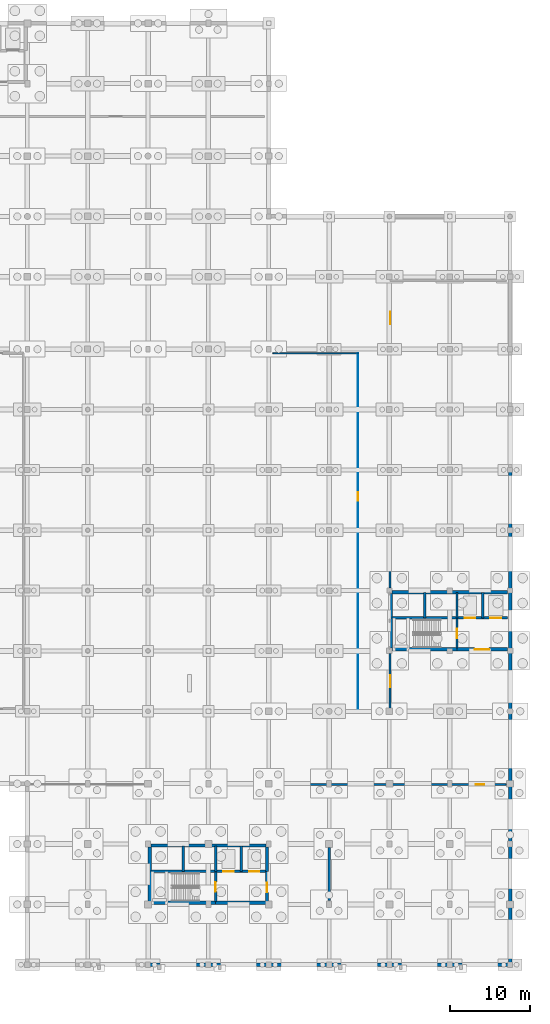
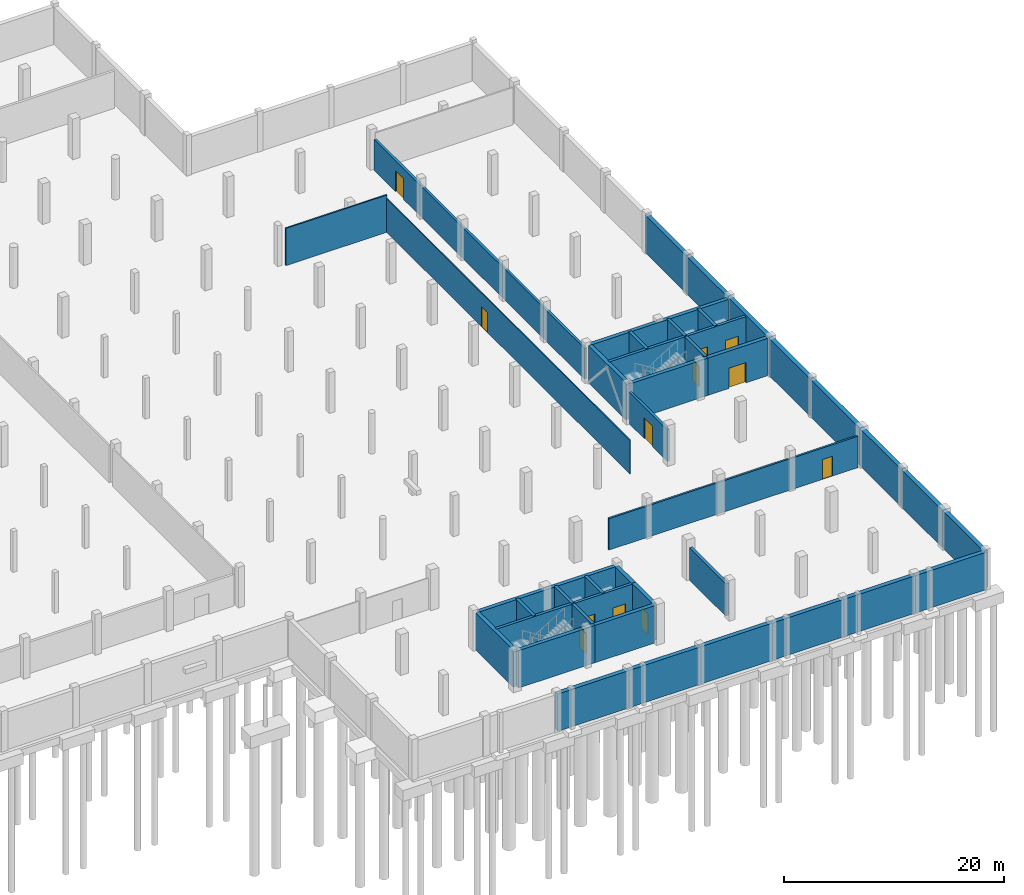
# One storey, part 31 of 42: 42 walls, 12 doors, 12 openings.
"""IFC4 building model written with IfcOpenShell, lengths in metres."""

from ifc_helpers import new_model, si_unit, direction, frame, frame_2d, origin, place, context, subcontext, project, spatial, rectangle, extrude, material, layer, layer_set, type_object, element, fill, save


model = new_model("IFC4")

# Units and contexts
model_context = context("Model", 3, precision=1e-05, world=origin(), true_north=direction((0.0, 1.0)))
body_context = subcontext(model_context, "Body", "Model", "MODEL_VIEW")
ifc_project = project(units=[si_unit("LENGTHUNIT", "METRE"), si_unit("AREAUNIT", "SQUARE_METRE"), si_unit("VOLUMEUNIT", "CUBIC_METRE"), si_unit("PLANEANGLEUNIT", "RADIAN"), si_unit("MASSUNIT", "GRAM", prefix="KILO")], contexts=[model_context])

# Site, building, storey
site_placement = place(None, origin())
site = spatial("IfcSite", under=ifc_project, at=site_placement, CompositionType="ELEMENT")
building_placement = place(site_placement, origin())
building = spatial("IfcBuilding", under=site, at=building_placement, Name="Dalvernix Boulevard General Hospital", CompositionType="ELEMENT")
storey_placement = place(building_placement, frame((0.0, 0.0, -4.5)))
storey = spatial("IfcBuildingStorey", under=building, at=storey_placement, Name="B1", CompositionType="ELEMENT", Elevation=-4.5)

# Walls
ifc_material_1 = material(Name="Concrete C40/50", Category="concrete")
ifc_layer_1 = layer(ifc_material_1, 0.39990234375)
ifc_layer_set_1 = layer_set([ifc_layer_1], Name="Concrete C40/50 (WAL-CSW-01)")
wall_type_1 = type_object("IfcWallType", Name="WAL-CSW-01", PredefinedType="SHEAR", material=ifc_layer_set_1)
wall_1_placement = place(storey_placement, frame((127.85009765625, 7.699951171875, 0.0), z_axis=(0.0, 0.0, 1.0), x_axis=(1.0, 0.0, 0.0)))
element("IfcWall", 1, at=wall_1_placement, inside=storey, type_object=wall_type_1, Name="B1 C5 south stairwell wall", PredefinedType="SHEAR", context=body_context, shape_type="SweptSolid", body=[
    extrude(rectangle(XDim=8.0498046875, YDim=0.39990234375, at=frame_2d((4.02490234375, 0.0))), origin(), (0.0, 0.0, 1.0), 4.139892578125),
])
wall_2_placement = place(storey_placement, frame((135.89990234375, 7.699951171875, 0.0), z_axis=(0.0, 0.0, 1.0), x_axis=(1.0, 0.0, 0.0)))
element("IfcWall", 2, at=wall_2_placement, inside=storey, type_object=wall_type_1, Name="B1 C5 south firefighting lobby wall", PredefinedType="SHEAR", context=body_context, shape_type="SweptSolid", body=[
    extrude(rectangle(XDim=6.25, YDim=0.39990234375, at=frame_2d((3.125, 0.0))), origin(), (0.0, 0.0, 1.0), 4.139892578125),
])
wall_3_placement = place(storey_placement, frame((127.85009765625, 14.800048828125, 0.0), z_axis=(0.0, 0.0, 1.0), x_axis=(1.0, 0.0, 0.0)))
element("IfcWall", 3, at=wall_3_placement, inside=storey, type_object=wall_type_1, Name="B1 C5 north shaft core wall", PredefinedType="SHEAR", context=body_context, shape_type="SweptSolid", body=[
    extrude(rectangle(XDim=14.2998046875, YDim=0.39990234375, at=frame_2d((7.14990234375, 0.0))), origin(), (0.0, 0.0, 1.0), 4.139892578125),
])
wall_4_placement = place(storey_placement, frame((127.699951171875, 7.85009765625, 0.0), z_axis=(0.0, 0.0, 1.0), x_axis=(0.0, 1.0, 0.0)))
element("IfcWall", 4, at=wall_4_placement, inside=storey, type_object=wall_type_1, Name="B1 C5 west core wall", PredefinedType="SHEAR", context=body_context, shape_type="SweptSolid", body=[
    extrude(rectangle(XDim=6.7998046875, YDim=0.39990234375, at=frame_2d((3.39990234375, 0.0))), origin(), (0.0, 0.0, 1.0), 4.139892578125),
])

# Wall, opening, door
wall_5_placement = place(storey_placement, frame((142.300048828125, 7.85009765625, 0.0), z_axis=(0.0, 0.0, 1.0), x_axis=(0.0, 1.0, 0.0)))
wall_5 = element("IfcWall", 5, at=wall_5_placement, inside=storey, type_object=wall_type_1, Name="B1 C5 east lobby core wall", PredefinedType="SHEAR", context=body_context, shape_type="SweptSolid", body=[
    extrude(rectangle(XDim=3.75, YDim=0.39990234375, at=frame_2d((1.875, 0.0))), origin(), (0.0, 0.0, 1.0), 4.139892578125),
])
opening_1_placement = place(wall_5_placement, frame((1.14990234375, 0.0, 0.0)))
opening_1 = element("IfcOpeningElement", 6, at=opening_1_placement, cuts=wall_5, Name="Opening FD-02", PredefinedType="OPENING", context=body_context, shape_type="SweptSolid", body=[
    extrude(rectangle(XDim=1.199951171875, YDim=2.25, at=frame_2d((0.60009765625, 1.125))), frame((0.0, 0.2099609375, 0.0), z_axis=(0.0, -1.0, 0.0), x_axis=(1.0, 0.0, 0.0)), (0.0, 0.0, 1.0), 0.419921875),
])
ifc_material_2 = material(Name="Hospital laminate acoustic timber and steel frame", Category="steel")
door_type_1 = type_object("IfcDoorType", Name="DR-FD-02", OperationType="NOTDEFINED", PredefinedType="DOOR", material=ifc_material_2)
door_1_placement = place(opening_1_placement, origin())
door_1 = element("IfcDoor", 7, at=door_1_placement, inside=storey, type_object=door_type_1, Name="B1 C5 east lobby fire door", OperationType="SINGLE_SWING_LEFT", OverallHeight=2.25, OverallWidth=1.199951171875, PredefinedType="DOOR", context=body_context, shape_type="SweptSolid", body=[
    extrude(rectangle(XDim=1.199951171875, YDim=2.25, at=frame_2d((0.60009765625, 1.125))), frame((0.0, 0.02490234375, 0.0), z_axis=(0.0, -1.0, 0.0), x_axis=(1.0, 0.0, 0.0)), (0.0, 0.0, 1.0), 0.050048828125),
])
fill(opening_1, door_1)

# Walls
wall_6_placement = place(storey_placement, frame((142.300048828125, 11.60009765625, 0.0), z_axis=(0.0, 0.0, 1.0), x_axis=(0.0, 1.0, 0.0)))
element("IfcWall", 8, at=wall_6_placement, inside=storey, type_object=wall_type_1, Name="B1 C5 east shaft core wall", PredefinedType="SHEAR", context=body_context, shape_type="SweptSolid", body=[
    extrude(rectangle(XDim=3.0498046875, YDim=0.39990234375, at=frame_2d((1.52490234375, 0.0))), origin(), (0.0, 0.0, 1.0), 4.139892578125),
])
wall_7_placement = place(storey_placement, frame((157.85009765625, 39.199951171875, 0.0), z_axis=(0.0, 0.0, 1.0), x_axis=(1.0, 0.0, 0.0)))
element("IfcWall", 9, at=wall_7_placement, inside=storey, type_object=wall_type_1, Name="B1 C6 south stairwell wall", PredefinedType="SHEAR", context=body_context, shape_type="SweptSolid", body=[
    extrude(rectangle(XDim=8.0498046875, YDim=0.39990234375, at=frame_2d((4.02490234375, 0.0))), origin(), (0.0, 0.0, 1.0), 4.139892578125),
])

# Wall, opening, door
wall_8_placement = place(storey_placement, frame((165.89990234375, 39.199951171875, 0.0), z_axis=(0.0, 0.0, 1.0), x_axis=(1.0, 0.0, 0.0)))
wall_8 = element("IfcWall", 10, at=wall_8_placement, inside=storey, type_object=wall_type_1, Name="B1 C6 south firefighting lobby wall", PredefinedType="SHEAR", context=body_context, shape_type="SweptSolid", body=[
    extrude(rectangle(XDim=6.25, YDim=0.39990234375, at=frame_2d((3.125, 0.0))), origin(), (0.0, 0.0, 1.0), 4.139892578125),
])
opening_2_placement = place(wall_8_placement, frame((2.199951171875, 0.0, 0.0)))
opening_2 = element("IfcOpeningElement", 11, at=opening_2_placement, cuts=wall_8, Name="Opening FD-01", PredefinedType="OPENING", context=body_context, shape_type="SweptSolid", body=[
    extrude(rectangle(XDim=1.800048828125, YDim=2.25, at=frame_2d((0.89990234375, 1.125))), frame((0.0, 0.2099609375, 0.0), z_axis=(0.0, -1.0, 0.0), x_axis=(1.0, 0.0, 0.0)), (0.0, 0.0, 1.0), 0.419921875),
])
door_type_2 = type_object("IfcDoorType", Name="DR-FD-01", OperationType="DOUBLE_DOOR_SINGLE_SWING", PredefinedType="DOOR", material=ifc_material_2)
door_2_placement = place(opening_2_placement, origin())
door_2 = element("IfcDoor", 12, at=door_2_placement, inside=storey, type_object=door_type_2, Name="B1 C6 firefighting lobby door", OperationType="DOUBLE_DOOR_SINGLE_SWING", OverallHeight=2.25, OverallWidth=1.800048828125, PredefinedType="DOOR", context=body_context, shape_type="SweptSolid", body=[
    extrude(rectangle(XDim=1.800048828125, YDim=2.25, at=frame_2d((0.89990234375, 1.125))), frame((0.0, 0.02490234375, 0.0), z_axis=(0.0, -1.0, 0.0), x_axis=(1.0, 0.0, 0.0)), (0.0, 0.0, 1.0), 0.050048828125),
])
fill(opening_2, door_2)

# Walls
wall_9_placement = place(storey_placement, frame((157.85009765625, 46.300048828125, 0.0), z_axis=(0.0, 0.0, 1.0), x_axis=(1.0, 0.0, 0.0)))
element("IfcWall", 13, at=wall_9_placement, inside=storey, type_object=wall_type_1, Name="B1 C6 north shaft core wall", PredefinedType="SHEAR", context=body_context, shape_type="SweptSolid", body=[
    extrude(rectangle(XDim=14.2998046875, YDim=0.39990234375, at=frame_2d((7.14990234375, 0.0))), origin(), (0.0, 0.0, 1.0), 4.139892578125),
])
wall_10_placement = place(storey_placement, frame((157.699951171875, 39.35009765625, 0.0), z_axis=(0.0, 0.0, 1.0), x_axis=(0.0, 1.0, 0.0)))
element("IfcWall", 14, at=wall_10_placement, inside=storey, type_object=wall_type_1, Name="B1 C6 west core wall", PredefinedType="SHEAR", context=body_context, shape_type="SweptSolid", body=[
    extrude(rectangle(XDim=6.7998046875, YDim=0.39990234375, at=frame_2d((3.39990234375, 0.0))), origin(), (0.0, 0.0, 1.0), 4.139892578125),
])
ifc_layer_2 = layer(ifc_material_1, 0.300048828125)
ifc_layer_set_2 = layer_set([ifc_layer_2], Name="Concrete C40/50 (WAL-CSW-02)")
wall_type_2 = type_object("IfcWallType", Name="WAL-CSW-02", PredefinedType="SHEAR", material=ifc_layer_set_2)
wall_11_placement = place(storey_placement, frame((127.85009765625, 11.60009765625, 0.0), z_axis=(0.0, 0.0, 1.0), x_axis=(1.0, 0.0, 0.0)))
element("IfcWall", 15, at=wall_11_placement, inside=storey, type_object=wall_type_2, Name="B1 C5 riser spine wall", PredefinedType="SHEAR", context=body_context, shape_type="SweptSolid", body=[
    extrude(rectangle(XDim=8.0498046875, YDim=0.300048828125, at=frame_2d((4.02490234375, 0.0))), origin(), (0.0, 0.0, 1.0), 4.139892578125),
])

# Wall, openings, doors
wall_12_placement = place(storey_placement, frame((135.89990234375, 11.60009765625, 0.0), z_axis=(0.0, 0.0, 1.0), x_axis=(1.0, 0.0, 0.0)))
wall_12 = element("IfcWall", 16, at=wall_12_placement, inside=storey, type_object=wall_type_2, Name="B1 C5 lift shaft front wall", PredefinedType="SHEAR", context=body_context, shape_type="SweptSolid", body=[
    extrude(rectangle(XDim=6.25, YDim=0.300048828125, at=frame_2d((3.125, 0.0))), origin(), (0.0, 0.0, 1.0), 4.139892578125),
])
opening_3_placement = place(wall_12_placement, frame((0.949951171875, 0.0, 0.0)))
opening_3 = element("IfcOpeningElement", 17, at=opening_3_placement, cuts=wall_12, Name="Opening LD-LF-04-B1", PredefinedType="OPENING", context=body_context, shape_type="SweptSolid", body=[
    extrude(rectangle(XDim=1.300048828125, YDim=2.199951171875, at=frame_2d((0.64990234375, 1.10009765625))), frame((0.0, 0.159912109375, 0.0), z_axis=(0.0, -1.0, 0.0), x_axis=(1.0, 0.0, 0.0)), (0.0, 0.0, 1.0), 0.320068359375),
])
opening_4_placement = place(wall_12_placement, frame((4.14990234375, 0.0, 0.0)))
opening_4 = element("IfcOpeningElement", 18, at=opening_4_placement, cuts=wall_12, Name="Opening LD-LF-05-B1", PredefinedType="OPENING", context=body_context, shape_type="SweptSolid", body=[
    extrude(rectangle(XDim=1.300048828125, YDim=2.199951171875, at=frame_2d((0.64990234375, 1.10009765625))), frame((0.0, 0.159912109375, 0.0), z_axis=(0.0, -1.0, 0.0), x_axis=(1.0, 0.0, 0.0)), (0.0, 0.0, 1.0), 0.320068359375),
])
ifc_material_3 = material(Name="Stainless-clad steel", Category="steel")
door_type_3 = type_object("IfcDoorType", Name="DR-LD-02", OperationType="DOUBLE_DOOR_SLIDING", PredefinedType="DOOR", material=ifc_material_3)
door_3_placement = place(opening_3_placement, origin())
door_3 = element("IfcDoor", 19, at=door_3_placement, inside=storey, type_object=door_type_3, Name="B1 Lift LF-04 sliding landing door", OperationType="DOUBLE_DOOR_SLIDING", OverallHeight=2.199951171875, OverallWidth=1.300048828125, PredefinedType="DOOR", context=body_context, shape_type="SweptSolid", body=[
    extrude(rectangle(XDim=1.300048828125, YDim=2.199951171875, at=frame_2d((0.64990234375, 1.10009765625))), frame((0.0, 0.02490234375, 0.0), z_axis=(0.0, -1.0, 0.0), x_axis=(1.0, 0.0, 0.0)), (0.0, 0.0, 1.0), 0.050048828125),
])
fill(opening_3, door_3)
door_4_placement = place(opening_4_placement, origin())
door_4 = element("IfcDoor", 20, at=door_4_placement, inside=storey, type_object=door_type_3, Name="B1 Lift LF-05 sliding landing door", OperationType="DOUBLE_DOOR_SLIDING", OverallHeight=2.199951171875, OverallWidth=1.300048828125, PredefinedType="DOOR", context=body_context, shape_type="SweptSolid", body=[
    extrude(rectangle(XDim=1.300048828125, YDim=2.199951171875, at=frame_2d((0.64990234375, 1.10009765625))), frame((0.0, 0.02490234375, 0.0), z_axis=(0.0, -1.0, 0.0), x_axis=(1.0, 0.0, 0.0)), (0.0, 0.0, 1.0), 0.050048828125),
])
fill(opening_4, door_4)

# Wall, opening, door
wall_13_placement = place(storey_placement, frame((135.89990234375, 11.5, 0.0), z_axis=(0.0, 0.0, 1.0), x_axis=(0.0, -1.0, 0.0)))
wall_13 = element("IfcWall", 21, at=wall_13_placement, inside=storey, type_object=wall_type_2, Name="B1 C5 stairwell fire wall", PredefinedType="SHEAR", context=body_context, shape_type="SweptSolid", body=[
    extrude(rectangle(XDim=3.64990234375, YDim=0.300048828125, at=frame_2d((1.824951171875, 0.0))), origin(), (0.0, 0.0, 1.0), 4.139892578125),
])
opening_5_placement = place(wall_13_placement, frame((1.219970703125, 0.0, 0.0)))
opening_5 = element("IfcOpeningElement", 22, at=opening_5_placement, cuts=wall_13, Name="Opening FD-02", PredefinedType="OPENING", context=body_context, shape_type="SweptSolid", body=[
    extrude(rectangle(XDim=1.199951171875, YDim=2.25, at=frame_2d((0.60009765625, 1.125))), frame((0.0, 0.159912109375, 0.0), z_axis=(0.0, -1.0, 0.0), x_axis=(1.0, 0.0, 0.0)), (0.0, 0.0, 1.0), 0.320068359375),
])
door_5_placement = place(opening_5_placement, origin())
door_5 = element("IfcDoor", 23, at=door_5_placement, inside=storey, type_object=door_type_1, Name="B1 Stair ST-05 fire door", OperationType="SINGLE_SWING_LEFT", OverallHeight=2.25, OverallWidth=1.199951171875, PredefinedType="DOOR", context=body_context, shape_type="SweptSolid", body=[
    extrude(rectangle(XDim=1.199951171875, YDim=2.25, at=frame_2d((0.60009765625, 1.125))), frame((0.0, 0.02490234375, 0.0), z_axis=(0.0, -1.0, 0.0), x_axis=(1.0, 0.0, 0.0)), (0.0, 0.0, 1.0), 0.050048828125),
])
fill(opening_5, door_5)

# Walls
for number, where, z_axis, x_axis, name in (
    (24, (131.89990234375, 11.60009765625, 0.0), (0.0, 0.0, 1.0), (0.0, 1.0, 0.0), "B1 C5 shaft divider R1"),
    (25, (135.89990234375, 11.60009765625, 0.0), (0.0, 0.0, 1.0), (0.0, 1.0, 0.0), "B1 C5 shaft divider R2"),
    (26, (139.10009765625, 11.60009765625, 0.0), (0.0, 0.0, 1.0), (0.0, 1.0, 0.0), "B1 C5 shaft divider L1"),
):
    element("IfcWall", number, at=place(storey_placement, frame(where, z_axis=z_axis, x_axis=x_axis)), inside=storey, type_object=wall_type_2, Name=name, PredefinedType="SHEAR", context=body_context, shape_type="SweptSolid", body=[
        extrude(rectangle(XDim=3.14990234375, YDim=0.300048828125, at=frame_2d((1.574951171875, 0.0))), origin(), (0.0, 0.0, 1.0), 4.139892578125),
    ])
wall_14_placement = place(storey_placement, frame((157.85009765625, 43.10009765625, 0.0), z_axis=(0.0, 0.0, 1.0), x_axis=(1.0, 0.0, 0.0)))
element("IfcWall", 27, at=wall_14_placement, inside=storey, type_object=wall_type_2, Name="B1 C6 riser spine wall", PredefinedType="SHEAR", context=body_context, shape_type="SweptSolid", body=[
    extrude(rectangle(XDim=8.0498046875, YDim=0.300048828125, at=frame_2d((4.02490234375, 0.0))), origin(), (0.0, 0.0, 1.0), 4.139892578125),
])

# Wall, openings, doors
wall_15_placement = place(storey_placement, frame((165.89990234375, 43.10009765625, 0.0), z_axis=(0.0, 0.0, 1.0), x_axis=(1.0, 0.0, 0.0)))
wall_15 = element("IfcWall", 28, at=wall_15_placement, inside=storey, type_object=wall_type_2, Name="B1 C6 lift shaft front wall", PredefinedType="SHEAR", context=body_context, shape_type="SweptSolid", body=[
    extrude(rectangle(XDim=6.25, YDim=0.300048828125, at=frame_2d((3.125, 0.0))), origin(), (0.0, 0.0, 1.0), 4.139892578125),
])
opening_6_placement = place(wall_15_placement, frame((0.949951171875, 0.0, 0.0)))
opening_6 = element("IfcOpeningElement", 29, at=opening_6_placement, cuts=wall_15, Name="Opening LD-LF-06-B1", PredefinedType="OPENING", context=body_context, shape_type="SweptSolid", body=[
    extrude(rectangle(XDim=1.300048828125, YDim=2.199951171875, at=frame_2d((0.64990234375, 1.10009765625))), frame((0.0, 0.159912109375, 0.0), z_axis=(0.0, -1.0, 0.0), x_axis=(1.0, 0.0, 0.0)), (0.0, 0.0, 1.0), 0.320068359375),
])
opening_7_placement = place(wall_15_placement, frame((4.10009765625, 0.0, 0.0)))
opening_7 = element("IfcOpeningElement", 30, at=opening_7_placement, cuts=wall_15, Name="Opening LD-GL-02-B1", PredefinedType="OPENING", context=body_context, shape_type="SweptSolid", body=[
    extrude(rectangle(XDim=1.39990234375, YDim=2.25, at=frame_2d((0.699951171875, 1.125))), frame((0.0, 0.159912109375, 0.0), z_axis=(0.0, -1.0, 0.0), x_axis=(1.0, 0.0, 0.0)), (0.0, 0.0, 1.0), 0.320068359375),
])
door_type_4 = type_object("IfcDoorType", Name="DR-LD-01", OperationType="DOUBLE_DOOR_SLIDING", PredefinedType="DOOR", material=ifc_material_3)
door_6_placement = place(opening_7_placement, origin())
door_6 = element("IfcDoor", 31, at=door_6_placement, inside=storey, type_object=door_type_4, Name="B1 Lift GL-02 sliding landing door", OperationType="DOUBLE_DOOR_SLIDING", OverallHeight=2.25, OverallWidth=1.39990234375, PredefinedType="DOOR", context=body_context, shape_type="SweptSolid", body=[
    extrude(rectangle(XDim=1.39990234375, YDim=2.25, at=frame_2d((0.699951171875, 1.125))), frame((0.0, 0.02490234375, 0.0), z_axis=(0.0, -1.0, 0.0), x_axis=(1.0, 0.0, 0.0)), (0.0, 0.0, 1.0), 0.050048828125),
])
fill(opening_7, door_6)
door_7_placement = place(opening_6_placement, origin())
door_7 = element("IfcDoor", 32, at=door_7_placement, inside=storey, type_object=door_type_3, Name="B1 Lift LF-06 sliding landing door", OperationType="DOUBLE_DOOR_SLIDING", OverallHeight=2.199951171875, OverallWidth=1.300048828125, PredefinedType="DOOR", context=body_context, shape_type="SweptSolid", body=[
    extrude(rectangle(XDim=1.300048828125, YDim=2.199951171875, at=frame_2d((0.64990234375, 1.10009765625))), frame((0.0, 0.02490234375, 0.0), z_axis=(0.0, -1.0, 0.0), x_axis=(1.0, 0.0, 0.0)), (0.0, 0.0, 1.0), 0.050048828125),
])
fill(opening_6, door_7)

# Wall, opening, door
wall_16_placement = place(storey_placement, frame((165.89990234375, 43.0, 0.0), z_axis=(0.0, 0.0, 1.0), x_axis=(0.0, -1.0, 0.0)))
wall_16 = element("IfcWall", 33, at=wall_16_placement, inside=storey, type_object=wall_type_2, Name="B1 C6 stairwell fire wall", PredefinedType="SHEAR", context=body_context, shape_type="SweptSolid", body=[
    extrude(rectangle(XDim=3.64990234375, YDim=0.300048828125, at=frame_2d((1.824951171875, 0.0))), origin(), (0.0, 0.0, 1.0), 4.139892578125),
])
opening_8_placement = place(wall_16_placement, frame((1.219970703125, 0.0, 0.0)))
opening_8 = element("IfcOpeningElement", 34, at=opening_8_placement, cuts=wall_16, Name="Opening FD-02", PredefinedType="OPENING", context=body_context, shape_type="SweptSolid", body=[
    extrude(rectangle(XDim=1.199951171875, YDim=2.25, at=frame_2d((0.60009765625, 1.125))), frame((0.0, 0.159912109375, 0.0), z_axis=(0.0, -1.0, 0.0), x_axis=(1.0, 0.0, 0.0)), (0.0, 0.0, 1.0), 0.320068359375),
])
door_8_placement = place(opening_8_placement, origin())
door_8 = element("IfcDoor", 35, at=door_8_placement, inside=storey, type_object=door_type_1, Name="B1 Stair ST-06 fire door", OperationType="SINGLE_SWING_LEFT", OverallHeight=2.25, OverallWidth=1.199951171875, PredefinedType="DOOR", context=body_context, shape_type="SweptSolid", body=[
    extrude(rectangle(XDim=1.199951171875, YDim=2.25, at=frame_2d((0.60009765625, 1.125))), frame((0.0, 0.02490234375, 0.0), z_axis=(0.0, -1.0, 0.0), x_axis=(1.0, 0.0, 0.0)), (0.0, 0.0, 1.0), 0.050048828125),
])
fill(opening_8, door_8)

# Walls
for number, where, z_axis, x_axis, name in (
    (36, (161.89990234375, 43.10009765625, 0.0), (0.0, 0.0, 1.0), (0.0, 1.0, 0.0), "B1 C6 shaft divider R1"),
    (37, (165.89990234375, 43.10009765625, 0.0), (0.0, 0.0, 1.0), (0.0, 1.0, 0.0), "B1 C6 shaft divider R2"),
    (38, (169.10009765625, 43.10009765625, 0.0), (0.0, 0.0, 1.0), (0.0, 1.0, 0.0), "B1 C6 shaft divider L1"),
):
    element("IfcWall", number, at=place(storey_placement, frame(where, z_axis=z_axis, x_axis=x_axis)), inside=storey, type_object=wall_type_2, Name=name, PredefinedType="SHEAR", context=body_context, shape_type="SweptSolid", body=[
        extrude(rectangle(XDim=3.14990234375, YDim=0.300048828125, at=frame_2d((1.574951171875, 0.0))), origin(), (0.0, 0.0, 1.0), 4.139892578125),
    ])
ifc_layer_3 = layer(ifc_material_1, 0.320068359375)
ifc_layer_set_3 = layer_set([ifc_layer_3], Name="Concrete C40/50 (WAL-ESW-02)")
wall_type_3 = type_object("IfcWallType", Name="WAL-ESW-02", PredefinedType="SHEAR", material=ifc_layer_set_3)
wall_17_placement = place(storey_placement, frame((150.0, 7.949951171875, 0.0), z_axis=(0.0, 0.0, 1.0), x_axis=(0.0, 1.0, 0.0)))
element("IfcWall", 39, at=wall_17_placement, inside=storey, type_object=wall_type_3, Name="B1 reinforced concrete shear wall 3", PredefinedType="SHEAR", context=body_context, shape_type="SweptSolid", body=[
    extrude(rectangle(XDim=6.60009765625, YDim=0.320068359375, at=frame_2d((3.300048828125, 0.0))), origin(), (0.0, 0.0, 1.0), 3.590087890625),
])

# Wall, opening, door
ifc_material_4 = material(Name="Acoustic fire-rated masonry clinical wall", Category="masonry")
ifc_layer_4 = layer(ifc_material_4, 0.25)
ifc_layer_set_4 = layer_set([ifc_layer_4], Name="Acoustic fire-rated masonry clinical wall (WAL-IW-01)")
wall_type_4 = type_object("IfcWallType", Name="WAL-IW-01", PredefinedType="STANDARD", material=ifc_layer_set_4)
wall_18_placement = place(storey_placement, frame((157.60009765625, 38.699951171875, 0.0), z_axis=(0.0, 0.0, 1.0), x_axis=(0.0, -1.0, 0.0)))
wall_18 = element("IfcWall", 40, at=wall_18_placement, inside=storey, type_object=wall_type_4, Name="B1 Primary 20 kV Electrical Switchroom and UPS Hall corridor wall", PredefinedType="STANDARD", context=body_context, shape_type="SweptSolid", body=[
    extrude(rectangle(XDim=6.89990234375, YDim=0.25, at=frame_2d((3.449951171875, 0.0))), origin(), (0.0, 0.0, 1.0), 3.52490234375),
])
opening_9_placement = place(wall_18_placement, frame((2.699951171875, 0.0, 0.0)))
opening_9 = element("IfcOpeningElement", 41, at=opening_9_placement, cuts=wall_18, Name="Opening ID-14", PredefinedType="OPENING", context=body_context, shape_type="SweptSolid", body=[
    extrude(rectangle(XDim=1.5, YDim=2.300048828125, at=frame_2d((0.75, 1.14990234375))), frame((0.0, 0.135009765625, 0.0), z_axis=(0.0, -1.0, 0.0), x_axis=(1.0, 0.0, 0.0)), (0.0, 0.0, 1.0), 0.27001953125),
])
door_type_5 = type_object("IfcDoorType", Name="DR-ID-14", OperationType="DOUBLE_DOOR_SINGLE_SWING", PredefinedType="DOOR", material=ifc_material_2)
door_9_placement = place(opening_9_placement, origin())
door_9 = element("IfcDoor", 42, at=door_9_placement, inside=storey, type_object=door_type_5, Name="B1 Primary 20 kV Electrical Switchroom and UPS Hall door", OperationType="DOUBLE_DOOR_SINGLE_SWING", OverallHeight=2.300048828125, OverallWidth=1.5, PredefinedType="DOOR", context=body_context, shape_type="SweptSolid", body=[
    extrude(rectangle(XDim=1.5, YDim=2.300048828125, at=frame_2d((0.75, 1.14990234375))), frame((0.0, 0.02490234375, 0.0), z_axis=(0.0, -1.0, 0.0), x_axis=(1.0, 0.0, 0.0)), (0.0, 0.0, 1.0), 0.050048828125),
])
fill(opening_9, door_9)

wall_19_placement = place(storey_placement, frame((157.60009765625, 85.0, 0.0), z_axis=(0.0, 0.0, 1.0), x_axis=(0.0, -1.0, 0.0)))
wall_19 = element("IfcWall", 43, at=wall_19_placement, inside=storey, type_object=wall_type_4, Name="B1 Potable and Fire Water Treatment Plant Room corridor wall", PredefinedType="STANDARD", context=body_context, shape_type="SweptSolid", body=[
    extrude(rectangle(XDim=38.199951171875, YDim=0.25, at=frame_2d((19.10009765625, 0.0))), origin(), (0.0, 0.0, 1.0), 3.425048828125),
])
opening_10_placement = place(wall_19_placement, frame((3.8701171875, 0.0, 0.0)))
opening_10 = element("IfcOpeningElement", 44, at=opening_10_placement, cuts=wall_19, Name="Opening ID-14", PredefinedType="OPENING", context=body_context, shape_type="SweptSolid", body=[
    extrude(rectangle(XDim=1.5, YDim=2.300048828125, at=frame_2d((0.75, 1.14990234375))), frame((0.0, 0.135009765625, 0.0), z_axis=(0.0, -1.0, 0.0), x_axis=(1.0, 0.0, 0.0)), (0.0, 0.0, 1.0), 0.27001953125),
])
door_10_placement = place(opening_10_placement, origin())
door_10 = element("IfcDoor", 45, at=door_10_placement, inside=storey, type_object=door_type_5, Name="B1 Potable and Fire Water Treatment Plant Room door", OperationType="DOUBLE_DOOR_SINGLE_SWING", OverallHeight=2.300048828125, OverallWidth=1.5, PredefinedType="DOOR", context=body_context, shape_type="SweptSolid", body=[
    extrude(rectangle(XDim=1.5, YDim=2.300048828125, at=frame_2d((0.75, 1.14990234375))), frame((0.0, 0.02490234375, 0.0), z_axis=(0.0, -1.0, 0.0), x_axis=(1.0, 0.0, 0.0)), (0.0, 0.0, 1.0), 0.050048828125),
])
fill(opening_10, door_10)

ifc_material_5 = material(Name="Fire-compartment corridor masonry wall", Category="masonry")
ifc_layer_5 = layer(ifc_material_5, 0.199951171875)
ifc_layer_set_5 = layer_set([ifc_layer_5], Name="Fire-compartment corridor masonry wall (WAL-IW-02)")
wall_type_5 = type_object("IfcWallType", Name="WAL-IW-02", PredefinedType="STANDARD", material=ifc_layer_set_5)
wall_20_placement = place(storey_placement, frame((172.0, 22.39990234375, 0.0), z_axis=(0.0, 0.0, 1.0), x_axis=(-1.0, 0.0, 0.0)))
wall_20 = element("IfcWall", 46, at=wall_20_placement, inside=storey, type_object=wall_type_5, Name="B1 Hospital Mortuary and Pathology Cold Suite corridor wall", PredefinedType="STANDARD", context=body_context, shape_type="SweptSolid", body=[
    extrude(rectangle(XDim=26.10009765625, YDim=0.199951171875, at=frame_2d((13.050048828125, 0.0))), origin(), (0.0, 0.0, 1.0), 3.47509765625),
])
opening_11_placement = place(wall_20_placement, frame((2.705078125, 0.0, 0.0)))
opening_11 = element("IfcOpeningElement", 47, at=opening_11_placement, cuts=wall_20, Name="Opening ID-07", PredefinedType="OPENING", context=body_context, shape_type="SweptSolid", body=[
    extrude(rectangle(XDim=1.050048828125, YDim=2.199951171875, at=frame_2d((0.52490234375, 1.10009765625))), frame((0.0, 0.10986328125, 0.0), z_axis=(0.0, -1.0, 0.0), x_axis=(1.0, 0.0, 0.0)), (0.0, 0.0, 1.0), 0.219970703125),
])
door_type_6 = type_object("IfcDoorType", Name="DR-ID-07", OperationType="NOTDEFINED", PredefinedType="DOOR", material=ifc_material_2)
door_11_placement = place(opening_11_placement, origin())
door_11 = element("IfcDoor", 48, at=door_11_placement, inside=storey, type_object=door_type_6, Name="B1 Hospital Mortuary and Pathology Cold Suite door", OperationType="SINGLE_SWING_RIGHT", OverallHeight=2.199951171875, OverallWidth=1.050048828125, PredefinedType="DOOR", context=body_context, shape_type="SweptSolid", body=[
    extrude(rectangle(XDim=1.050048828125, YDim=2.199951171875, at=frame_2d((0.52490234375, 1.10009765625))), frame((0.0, 0.02490234375, 0.0), z_axis=(0.0, -1.0, 0.0), x_axis=(1.0, 0.0, 0.0)), (0.0, 0.0, 1.0), 0.050048828125),
])
fill(opening_11, door_11)

# Wall
ifc_material_6 = material(Name="Acoustic double-stud gypsum inpatient partition")
ifc_layer_6 = layer(ifc_material_6, 0.14990234375)
ifc_layer_set_6 = layer_set([ifc_layer_6], Name="Acoustic double-stud gypsum inpatient partition (WAL-IW-04)")
wall_type_6 = type_object("IfcWallType", Name="WAL-IW-04", PredefinedType="PARTITIONING", material=ifc_layer_set_6)
wall_21_placement = place(storey_placement, frame((143.0, 76.0, 0.0), z_axis=(0.0, 0.0, 1.0), x_axis=(1.0, 0.0, 0.0)))
element("IfcWall", 49, at=wall_21_placement, inside=storey, type_object=wall_type_6, Name="B1 Biomedical Engineering and Calibration Workshop partition", PredefinedType="PARTITIONING", context=body_context, shape_type="SweptSolid", body=[
    extrude(rectangle(XDim=10.60009765625, YDim=0.14990234375, at=frame_2d((5.300048828125, 0.0))), origin(), (0.0, 0.0, 1.0), 4.125),
])

# Wall, opening, door
ifc_material_7 = material(Name="Fire-resisting clinical sub-partition")
ifc_layer_7 = layer(ifc_material_7, 0.10009765625)
ifc_layer_set_7 = layer_set([ifc_layer_7], Name="Fire-resisting clinical sub-partition (WAL-IW-06)")
wall_type_7 = type_object("IfcWallType", Name="WAL-IW-06", PredefinedType="PARTITIONING", material=ifc_layer_set_7)
wall_22_placement = place(storey_placement, frame((153.60009765625, 31.800048828125, 0.0), z_axis=(0.0, 0.0, 1.0), x_axis=(0.0, 1.0, 0.0)))
wall_22 = element("IfcWall", 50, at=wall_22_placement, inside=storey, type_object=wall_type_7, Name="B1 Biomedical Engineering and Calibration Workshop corridor wall", PredefinedType="PARTITIONING", context=body_context, shape_type="SweptSolid", body=[
    extrude(rectangle(XDim=44.199951171875, YDim=0.10009765625, at=frame_2d((22.10009765625, 0.0))), origin(), (0.0, 0.0, 1.0), 3.72509765625),
])
opening_12_placement = place(wall_22_placement, frame((25.840087890625, 0.0, 0.0)))
opening_12 = element("IfcOpeningElement", 51, at=opening_12_placement, cuts=wall_22, Name="Opening ID-07", PredefinedType="OPENING", context=body_context, shape_type="SweptSolid", body=[
    extrude(rectangle(XDim=1.050048828125, YDim=2.199951171875, at=frame_2d((0.52490234375, 1.10009765625))), frame((0.0, 0.06005859375, 0.0), z_axis=(0.0, -1.0, 0.0), x_axis=(1.0, 0.0, 0.0)), (0.0, 0.0, 1.0), 0.1201171875),
])
door_12_placement = place(opening_12_placement, origin())
door_12 = element("IfcDoor", 52, at=door_12_placement, inside=storey, type_object=door_type_6, Name="B1 Biomedical Engineering and Calibration Workshop door", OperationType="SINGLE_SWING_LEFT", OverallHeight=2.199951171875, OverallWidth=1.050048828125, PredefinedType="DOOR", context=body_context, shape_type="SweptSolid", body=[
    extrude(rectangle(XDim=1.050048828125, YDim=2.199951171875, at=frame_2d((0.52490234375, 1.10009765625))), frame((0.0, 0.02490234375, 0.0), z_axis=(0.0, -1.0, 0.0), x_axis=(1.0, 0.0, 0.0)), (0.0, 0.0, 1.0), 0.050048828125),
])
fill(opening_12, door_12)

# Walls
ifc_layer_8 = layer(ifc_material_1, 0.449951171875)
ifc_layer_set_8 = layer_set([ifc_layer_8], Name="Concrete C40/50 (WAL-RET-01)")
wall_type_8 = type_object("IfcWallType", Name="WAL-RET-01", PredefinedType="SOLIDWALL", material=ifc_layer_set_8)
for number, where, z_axis, x_axis, name in (
    (53, (172.5, 61.5, 0.0), (0.0, 0.0, 1.0), (0.0, -1.0, 0.0), "B1 basement retaining wall 41"),
    (54, (172.5, 54.0, 0.0), (0.0, 0.0, 1.0), (0.0, -1.0, 0.0), "B1 basement retaining wall 42"),
    (55, (172.5, 46.5, 0.0), (0.0, 0.0, 1.0), (0.0, -1.0, 0.0), "B1 basement retaining wall 43"),
    (56, (172.5, 39.0, 0.0), (0.0, 0.0, 1.0), (0.0, -1.0, 0.0), "B1 basement retaining wall 44"),
):
    element("IfcWall", number, at=place(storey_placement, frame(where, z_axis=z_axis, x_axis=x_axis)), inside=storey, type_object=wall_type_8, Name=name, PredefinedType="SOLIDWALL", context=body_context, shape_type="SweptSolid", body=[
        extrude(rectangle(XDim=7.5, YDim=0.449951171875, at=frame_2d((3.75, 0.0))), origin(), (0.0, 0.0, 1.0), 4.139892578125),
    ])
wall_23_placement = place(storey_placement, frame((172.5, 31.5, 0.0), z_axis=(0.0, 0.0, 1.0), x_axis=(0.0, -1.0, 0.0)))
element("IfcWall", 57, at=wall_23_placement, inside=storey, type_object=wall_type_8, Name="B1 basement retaining wall 45", PredefinedType="SOLIDWALL", context=body_context, shape_type="SweptSolid", body=[
    extrude(rectangle(XDim=9.0, YDim=0.449951171875, at=frame_2d((4.5, 0.0))), origin(), (0.0, 0.0, 1.0), 4.139892578125),
])
for number, where, z_axis, x_axis, name in (
    (58, (172.5, 22.5, 0.0), (0.0, 0.0, 1.0), (0.0, -1.0, 0.0), "B1 basement retaining wall 46"),
    (59, (172.5, 15.0, 0.0), (0.0, 0.0, 1.0), (0.0, -1.0, 0.0), "B1 basement retaining wall 47"),
    (60, (172.5, 7.5, 0.0), (0.0, 0.0, 1.0), (0.0, -1.0, 0.0), "B1 basement retaining wall 48"),
    (61, (172.5, 0.0, 0.0), (0.0, 0.0, 1.0), (-1.0, 0.0, 0.0), "B1 basement retaining wall 49"),
    (62, (165.0, 0.0, 0.0), (0.0, 0.0, 1.0), (-1.0, 0.0, 0.0), "B1 basement retaining wall 50"),
    (63, (157.5, 0.0, 0.0), (0.0, 0.0, 1.0), (-1.0, 0.0, 0.0), "B1 basement retaining wall 51"),
    (64, (150.0, 0.0, 0.0), (0.0, 0.0, 1.0), (-1.0, 0.0, 0.0), "B1 basement retaining wall 52"),
    (65, (142.5, 0.0, 0.0), (0.0, 0.0, 1.0), (-1.0, 0.0, 0.0), "B1 basement retaining wall 53"),
    (66, (135.0, 0.0, 0.0), (0.0, 0.0, 1.0), (-1.0, 0.0, 0.0), "B1 basement retaining wall 54"),
):
    element("IfcWall", number, at=place(storey_placement, frame(where, z_axis=z_axis, x_axis=x_axis)), inside=storey, type_object=wall_type_8, Name=name, PredefinedType="SOLIDWALL", context=body_context, shape_type="SweptSolid", body=[
        extrude(rectangle(XDim=7.5, YDim=0.449951171875, at=frame_2d((3.75, 0.0))), origin(), (0.0, 0.0, 1.0), 4.139892578125),
    ])

save(model, "model.ifc")
